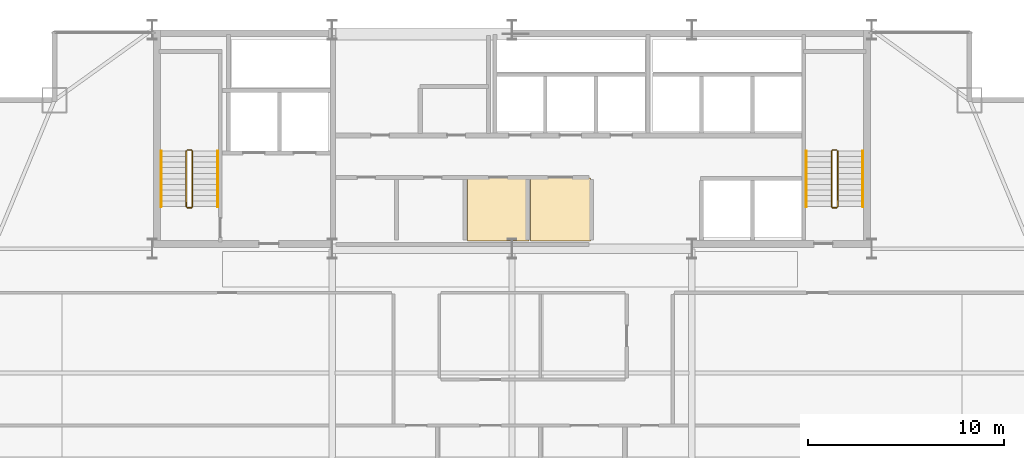
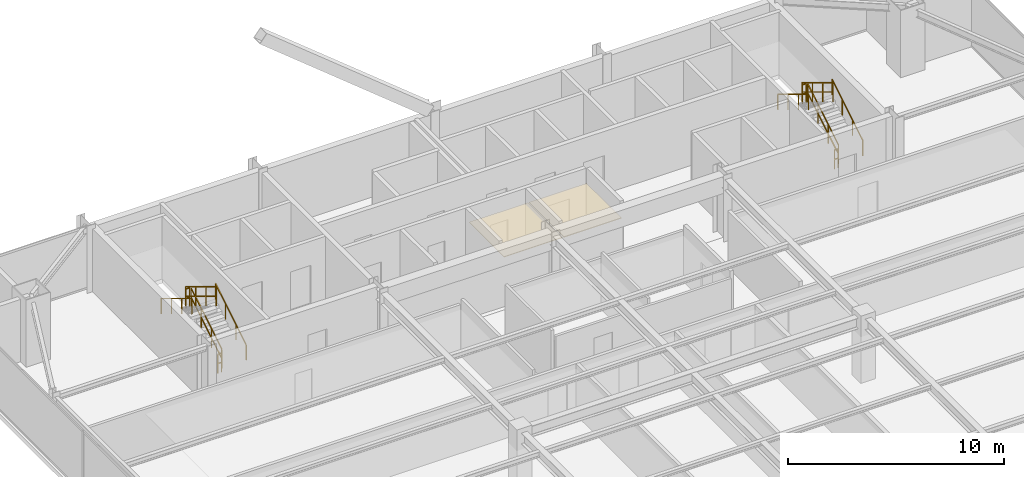
# One storey, part 32 of 32: 12 railings, 2 coverings.
"""IFC4 building model written with IfcOpenShell, lengths in metres."""

import ifcopenshell
import ifcopenshell.guid

model = None  # the IFC model being written
_history = None  # IfcOwnerHistory: only IFC2X3 demands one
_inside = {}  # id of a spatial element -> (the spatial element, [elements in it])
_under = {}  # id of a project, library or spatial element -> (it, [spatial elements below it])
_declared = {}  # id of a project -> (the project, [libraries it declares])
_typed = {}  # id of a type object -> (the type object, [elements of that type])
_made_of = {}  # id of a material, layer set ... -> (it, [elements and type objects made of it])


def new_model(schema):
    """Start an empty IFC model of exactly this schema.

    Asked for "IFC4X3", IfcOpenShell would pick the latest addendum, in which some entities
    have other attributes; the version numbers below select the first issue.
    IFC2X3 requires an IfcOwnerHistory on every rooted entity: one is made here for all.
    """
    global model, _history
    if schema == "IFC4X3":
        model = ifcopenshell.file(schema_version=(4, 3, 0, 0))
    else:
        model = ifcopenshell.file(schema=schema)
    _inside.clear()
    _under.clear()
    _declared.clear()
    _typed.clear()
    _made_of.clear()
    _history = None
    if model.schema == "IFC2X3":
        org = make("IfcOrganization", Name="unknown")
        user = make(
            "IfcPersonAndOrganization",
            ThePerson=make("IfcPerson", FamilyName="unknown"),
            TheOrganization=org,
        )
        app = make(
            "IfcApplication",
            ApplicationDeveloper=org,
            Version="unknown",
            ApplicationFullName="unknown",
            ApplicationIdentifier="unknown",
        )
        _history = make(
            "IfcOwnerHistory",
            OwningUser=user,
            OwningApplication=app,
            ChangeAction="ADDED",
            CreationDate=0,
        )
    return model


def make(cls, **values):
    """One entity of the class cls with the attributes given. An attribute that is None is left unset."""
    return model.create_entity(
        cls, **{name: value for name, value in values.items() if value is not None}
    )


def rooted(cls, **values):
    """An entity with a GlobalId (a new one), such as an element, a storey or a relation."""
    return make(cls, GlobalId=ifcopenshell.guid.new(), OwnerHistory=_history, **values)


def si_unit(unit_type, name, prefix=None):
    """IfcSIUnit, for example si_unit("LENGTHUNIT", "METRE", prefix="MILLI")."""
    return make("IfcSIUnit", UnitType=unit_type, Prefix=prefix, Name=name)


def assignment(units):
    """IfcUnitAssignment: the units of a project."""
    return None if units is None else make("IfcUnitAssignment", Units=units)


def point(xyz):
    """IfcCartesianPoint."""
    return None if xyz is None else make("IfcCartesianPoint", Coordinates=xyz)


def direction(xyz):
    """IfcDirection."""
    return None if xyz is None else make("IfcDirection", DirectionRatios=xyz)


def frame(location, z_axis=None, x_axis=None):
    """IfcAxis2Placement3D, a coordinate frame: its origin and axes. An axis left out is left unset."""
    return make(
        "IfcAxis2Placement3D",
        Location=point(location),
        Axis=direction(z_axis),
        RefDirection=direction(x_axis),
    )


def frame_2d(location, x_axis=None):
    """IfcAxis2Placement2D, a coordinate frame in the plane: its origin and x axis."""
    return make(
        "IfcAxis2Placement2D", Location=point(location), RefDirection=direction(x_axis)
    )


def origin():
    """The frame at (0, 0, 0) with its axes left unset."""
    return frame((0.0, 0.0, 0.0))


def origin_2d():
    """The frame at (0, 0) in the plane with its x axis left unset."""
    return frame_2d((0.0, 0.0))


def place(relative_to, where):
    """IfcLocalPlacement: puts the frame where relative to a parent placement (None: the world)."""
    return make(
        "IfcLocalPlacement", PlacementRelTo=relative_to, RelativePlacement=where
    )


def context(
    kind, dimensions, precision=None, world=None, true_north=None, identifier=None
):
    """IfcGeometricRepresentationContext, for example the 3D "Model" context."""
    return make(
        "IfcGeometricRepresentationContext",
        ContextIdentifier=identifier,
        ContextType=kind,
        CoordinateSpaceDimension=dimensions,
        Precision=precision,
        WorldCoordinateSystem=world,
        TrueNorth=true_north,
    )


def subcontext(parent, identifier, kind, view, scale=None):
    """IfcGeometricRepresentationSubContext, for example "Body" below "Model"."""
    return make(
        "IfcGeometricRepresentationSubContext",
        ContextIdentifier=identifier,
        ContextType=kind,
        ParentContext=parent,
        TargetScale=scale,
        TargetView=view,
    )


def project(units=None, contexts=None):
    """IfcProject with its units and contexts."""
    return rooted(
        "IfcProject",
        Name="project",
        RepresentationContexts=contexts,
        UnitsInContext=assignment(units),
    )


def spatial(cls, under=None, at=None, **own):
    """A site, building, storey or space (cls), placed at a placement, below another one or the project."""
    s = rooted(cls, ObjectPlacement=at, **own)
    if under is not None:
        _under.setdefault(under.id(), (under, []))[1].append(s)
    return s


def polyline(points):
    """IfcPolyline through the points."""
    return make("IfcPolyline", Points=[point(p) for p in points])


def profile(cls, at=None, kind="AREA", **sizes):
    """A parametric profile (cls). Its sizes go by their IFC names, for example OverallWidth=200.0."""
    return make(cls, ProfileType=kind, Position=at, **sizes)


def rectangle(**sizes):
    """IfcRectangleProfileDef."""
    return profile("IfcRectangleProfileDef", **sizes)


def outline(outer, holes=None, kind="AREA"):
    """IfcArbitraryClosedProfileDef: a profile drawn as a closed curve; with holes, ...WithVoids."""
    if holes is None:
        return make("IfcArbitraryClosedProfileDef", ProfileType=kind, OuterCurve=outer)
    return make(
        "IfcArbitraryProfileDefWithVoids",
        ProfileType=kind,
        OuterCurve=outer,
        InnerCurves=holes,
    )


def extrude(swept, where, along, depth):
    """IfcExtrudedAreaSolid: the profile swept, set in the frame where, extruded along a direction by depth."""
    return make(
        "IfcExtrudedAreaSolid",
        SweptArea=swept,
        Position=where,
        ExtrudedDirection=direction(along),
        Depth=depth,
    )


def shape(context_of_items, identifier, shape_type, items):
    """IfcShapeRepresentation: the items that make up one representation, for example the "Body"."""
    return make(
        "IfcShapeRepresentation",
        ContextOfItems=context_of_items,
        RepresentationIdentifier=identifier,
        RepresentationType=shape_type,
        Items=items,
    )


def material(Name=None, Category=None):
    """IfcMaterial."""
    return make("IfcMaterial", Name=Name, Category=Category)


def layer(
    of_material, thickness, ventilated=None, Name=None, Category=None, Priority=None
):
    """IfcMaterialLayer: one layer of a wall or slab, of a material (None: an air gap)."""
    return make(
        "IfcMaterialLayer",
        Material=of_material,
        LayerThickness=thickness,
        IsVentilated=ventilated,
        Name=Name,
        Category=Category,
        Priority=Priority,
    )


def layer_set(layers, Name=None):
    """IfcMaterialLayerSet."""
    return make("IfcMaterialLayerSet", MaterialLayers=layers, LayerSetName=Name)


def made_of(thing, what):
    """Note that an element or type object is made of a material, layer set ...; save() writes the relation."""
    if what is not None:
        _made_of.setdefault(what.id(), (what, []))[1].append(thing)
    return thing


def type_object(cls, material=None, **own):
    """A type object (cls), such as IfcWallType, which elements share."""
    return made_of(rooted(cls, **own), material)


def element(
    cls,
    number,
    at=None,
    inside=None,
    cuts=None,
    type_object=None,
    material=None,
    context=None,
    identifier="Body",
    shape_type=None,
    held_by="IfcProductDefinitionShape",
    body=None,
    shapes=None,
    **own,
):
    """One element of the class cls, such as IfcWall. Its Tag is "e" and its number.

    at: its placement. inside: the storey or other place that contains it. cuts: it is an
    opening in that element (IfcRelVoidsElement). A single representation is given by context,
    identifier, shape_type and body (its items); several are given by shapes. held_by: the class
    of the entity that holds the representations. save() writes the other relations.
    """
    e = rooted(cls, Tag="e%d" % number, ObjectPlacement=at, **own)
    if body is not None:
        shapes = [shape(context, identifier, shape_type, body)]
    if shapes is not None:
        e.Representation = make(held_by, Representations=shapes)
    if inside is not None:
        _inside.setdefault(inside.id(), (inside, []))[1].append(e)
    if cuts is not None:
        rooted(
            "IfcRelVoidsElement", RelatingBuildingElement=cuts, RelatedOpeningElement=e
        )
    if type_object is not None:
        _typed.setdefault(type_object.id(), (type_object, []))[1].append(e)
    return made_of(e, material)


def aggregate(whole, parts):
    """IfcRelAggregates: a whole, such as a stair, and the parts it consists of."""
    return rooted("IfcRelAggregates", RelatingObject=whole, RelatedObjects=parts)


def save(model, path):
    """Write the relations noted so far, then the file.

    IfcRelAggregates (storeys below a building ...), IfcRelContainedInSpatialStructure (elements
    in a storey), IfcRelDefinesByType, IfcRelAssociatesMaterial and IfcRelDeclares: one each for
    every whole, place, type object, material and project.
    """
    for whole, parts in _under.values():
        aggregate(whole, parts)
    for where, things in _inside.values():
        rooted(
            "IfcRelContainedInSpatialStructure",
            RelatedElements=things,
            RelatingStructure=where,
        )
    for kind, things in _typed.values():
        rooted("IfcRelDefinesByType", RelatedObjects=things, RelatingType=kind)
    for what, things in _made_of.values():
        rooted("IfcRelAssociatesMaterial", RelatedObjects=things, RelatingMaterial=what)
    for by, libraries in _declared.values():
        rooted("IfcRelDeclares", RelatingContext=by, RelatedDefinitions=libraries)
    model.write(path)


model = new_model("IFC4")

# Units and contexts
model_context = context("Model", 3, precision=1e-05, world=origin(), true_north=direction((0.0, 1.0)))
body_context = subcontext(model_context, "Body", "Model", "MODEL_VIEW")
ifc_project = project(units=[si_unit("LENGTHUNIT", "METRE"), si_unit("AREAUNIT", "SQUARE_METRE"), si_unit("VOLUMEUNIT", "CUBIC_METRE"), si_unit("PLANEANGLEUNIT", "RADIAN"), si_unit("MASSUNIT", "GRAM", prefix="KILO")], contexts=[model_context])

# Site, building, storey
site_placement = place(None, origin())
site = spatial("IfcSite", under=ifc_project, at=site_placement, CompositionType="ELEMENT")
building_placement = place(site_placement, origin())
building = spatial("IfcBuilding", under=site, at=building_placement, Name="Varnel Quay Broadcast Tower", CompositionType="ELEMENT")
storey_placement = place(building_placement, frame((0.0, 0.0, 164.800048828125)))
storey = spatial("IfcBuildingStorey", under=building, at=storey_placement, Name="L40", CompositionType="ELEMENT", Elevation=164.800048828125)

# Coverings
ifc_material_1 = material(Name="Micro-Perforated Acoustic Ceiling Tile")
ifc_layer = layer(ifc_material_1, 0.0400390625, Name="Micro-Perforated Acoustic Ceiling Tile")
ifc_layer_set = layer_set([ifc_layer], Name="Micro-Perforated Acoustic Ceiling Tile")
covering_type = type_object("IfcCoveringType", Name="Cov_AcousticCeiling", PredefinedType="CEILING", material=ifc_layer_set)
covering_1_placement = place(storey_placement, frame((0.0, 0.0, 2.579833984375)))
element("IfcCovering", 1, at=covering_1_placement, inside=storey, type_object=covering_type, Name="L40 Broadcast First-Aid & Quiet Room Acoustic Ceiling", PredefinedType="CEILING", context=body_context, shape_type="SweptSolid", body=[
    extrude(outline(polyline([(31.735107421875, 35.985107421875), (34.864990234375, 35.985107421875), (34.864990234375, 39.215087890625), (31.735107421875, 39.215087890625), (31.735107421875, 35.985107421875)])), origin(), (0.0, 0.0, 1.0), 0.0400390625),
])
covering_2_placement = place(storey_placement, frame((0.0, 0.0, 2.579833984375)))
element("IfcCovering", 2, at=covering_2_placement, inside=storey, type_object=covering_type, Name="L40 Zone Lighting Dimmer Room Acoustic Ceiling", PredefinedType="CEILING", context=body_context, shape_type="SweptSolid", body=[
    extrude(outline(polyline([(34.93505859375, 35.985107421875), (38.014892578125, 35.985107421875), (38.014892578125, 39.215087890625), (34.93505859375, 39.215087890625), (34.93505859375, 35.985107421875)])), origin(), (0.0, 0.0, 1.0), 0.0400390625),
])

# Railings
ifc_material_2 = material(Name="Painted Steel Guard and Handrail CSA G40.21 350W", Category="steel")
railing_type_1 = type_object("IfcRailingType", Name="Rail_StairGuard1100", PredefinedType="GUARDRAIL", material=ifc_material_2)
railing_1_placement = place(storey_placement, frame((17.64990234375, 37.75, 0.172607421875)))
element("IfcRailing", 3, at=railing_1_placement, inside=storey, type_object=railing_type_1, Name="L40 ST-01 stair guard 1", PredefinedType="GUARDRAIL", context=body_context, shape_type="SweptSolid", body=[
    extrude(rectangle(XDim=0.048095703125, YDim=0.048095703125, at=origin_2d()), frame((0.0, 0.0, 1.076171875), z_axis=(0.0, 0.855202751398, 0.518293598264), x_axis=(-1.0, 0.0, 0.0)), (0.0, 0.0, 1.0), 3.332763671875),
    extrude(rectangle(XDim=0.048095703125, YDim=0.048095703125, at=origin_2d()), frame((0.0, 0.0, 0.550048828125), z_axis=(0.0, 0.855202751398, 0.518293598264), x_axis=(-1.0, 0.0, 0.0)), (0.0, 0.0, 1.0), 3.332763671875),
    extrude(rectangle(XDim=0.0419921875, YDim=0.0419921875, at=origin_2d()), origin(), (0.0, 0.0, 1.0), 1.052001953125),
    extrude(rectangle(XDim=0.0419921875, YDim=0.0419921875, at=origin_2d()), frame((0.0, 0.949951171875, 0.57568359375)), (0.0, 0.0, 1.0), 1.052001953125),
    extrude(rectangle(XDim=0.0419921875, YDim=0.0419921875, at=origin_2d()), frame((0.0, 1.900146484375, 1.151611328125)), (0.0, 0.0, 1.0), 1.052001953125),
    extrude(rectangle(XDim=0.0419921875, YDim=0.0419921875, at=origin_2d()), frame((0.0, 2.85009765625, 1.727294921875)), (0.0, 0.0, 1.0), 1.052001953125),
])
railing_2_placement = place(storey_placement, frame((17.60009765625, 40.64990234375, 1.89990234375)))
element("IfcRailing", 4, at=railing_2_placement, inside=storey, type_object=railing_type_1, Name="L40 ST-01 stair guard 2", PredefinedType="GUARDRAIL", context=body_context, shape_type="SweptSolid", body=[
    extrude(rectangle(XDim=0.048095703125, YDim=0.048095703125, at=origin_2d()), frame((0.0, 0.0, 1.076171875), z_axis=(-1.0, 0.0, 0.0), x_axis=(0.0, -1.0, 0.0)), (0.0, 0.0, 1.0), 0.2001953125),
    extrude(rectangle(XDim=0.048095703125, YDim=0.048095703125, at=origin_2d()), frame((0.0, 0.0, 0.550048828125), z_axis=(-1.0, 0.0, 0.0), x_axis=(0.0, -1.0, 0.0)), (0.0, 0.0, 1.0), 0.2001953125),
    extrude(rectangle(XDim=0.0419921875, YDim=0.0419921875, at=origin_2d()), origin(), (0.0, 0.0, 1.0), 1.052001953125),
    extrude(rectangle(XDim=0.0419921875, YDim=0.0419921875, at=origin_2d()), frame((-0.2001953125, 0.0, 0.0)), (0.0, 0.0, 1.0), 1.052001953125),
])
railing_3_placement = place(storey_placement, frame((17.35009765625, 40.60009765625, 2.07275390625)))
element("IfcRailing", 5, at=railing_3_placement, inside=storey, type_object=railing_type_1, Name="L40 ST-01 stair guard 3", PredefinedType="GUARDRAIL", context=body_context, shape_type="SweptSolid", body=[
    extrude(rectangle(XDim=0.048095703125, YDim=0.048095703125, at=origin_2d()), frame((0.0, 0.0, 1.076171875), z_axis=(0.0, -0.855202751398, 0.518293598264), x_axis=(1.0, 0.0, 0.0)), (0.0, 0.0, 1.0), 3.332763671875),
    extrude(rectangle(XDim=0.048095703125, YDim=0.048095703125, at=origin_2d()), frame((0.0, 0.0, 0.550048828125), z_axis=(0.0, -0.855202751398, 0.518293598264), x_axis=(1.0, 0.0, 0.0)), (0.0, 0.0, 1.0), 3.332763671875),
    extrude(rectangle(XDim=0.0419921875, YDim=0.0419921875, at=origin_2d()), origin(), (0.0, 0.0, 1.0), 1.052001953125),
    extrude(rectangle(XDim=0.0419921875, YDim=0.0419921875, at=origin_2d()), frame((0.0, -0.949951171875, 0.57568359375)), (0.0, 0.0, 1.0), 1.052001953125),
    extrude(rectangle(XDim=0.0419921875, YDim=0.0419921875, at=origin_2d()), frame((0.0, -1.900146484375, 1.151611328125)), (0.0, 0.0, 1.0), 1.052001953125),
    extrude(rectangle(XDim=0.0419921875, YDim=0.0419921875, at=origin_2d()), frame((0.0, -2.85009765625, 1.727294921875)), (0.0, 0.0, 1.0), 1.052001953125),
])
railing_4_placement = place(storey_placement, frame((17.60009765625, 37.699951171875, 0.0)))
element("IfcRailing", 6, at=railing_4_placement, inside=storey, type_object=railing_type_1, Name="L40 ST-01 stair guard 4", PredefinedType="GUARDRAIL", context=body_context, shape_type="SweptSolid", body=[
    extrude(rectangle(XDim=0.048095703125, YDim=0.048095703125, at=origin_2d()), frame((0.0, 0.0, 1.076171875), z_axis=(-1.0, 0.0, 0.0), x_axis=(0.0, -1.0, 0.0)), (0.0, 0.0, 1.0), 0.2001953125),
    extrude(rectangle(XDim=0.048095703125, YDim=0.048095703125, at=origin_2d()), frame((0.0, 0.0, 0.550048828125), z_axis=(-1.0, 0.0, 0.0), x_axis=(0.0, -1.0, 0.0)), (0.0, 0.0, 1.0), 0.2001953125),
    extrude(rectangle(XDim=0.0419921875, YDim=0.0419921875, at=origin_2d()), origin(), (0.0, 0.0, 1.0), 1.052001953125),
    extrude(rectangle(XDim=0.0419921875, YDim=0.0419921875, at=origin_2d()), frame((-0.2001953125, 0.0, 0.0)), (0.0, 0.0, 1.0), 1.052001953125),
])
railing_5_placement = place(storey_placement, frame((50.64990234375, 37.75, 0.172607421875)))
element("IfcRailing", 7, at=railing_5_placement, inside=storey, type_object=railing_type_1, Name="L40 ST-02 stair guard 1", PredefinedType="GUARDRAIL", context=body_context, shape_type="SweptSolid", body=[
    extrude(rectangle(XDim=0.048095703125, YDim=0.048095703125, at=origin_2d()), frame((0.0, 0.0, 1.076171875), z_axis=(0.0, 0.855202751398, 0.518293598264), x_axis=(-1.0, 0.0, 0.0)), (0.0, 0.0, 1.0), 3.332763671875),
    extrude(rectangle(XDim=0.048095703125, YDim=0.048095703125, at=origin_2d()), frame((0.0, 0.0, 0.550048828125), z_axis=(0.0, 0.855202751398, 0.518293598264), x_axis=(-1.0, 0.0, 0.0)), (0.0, 0.0, 1.0), 3.332763671875),
    extrude(rectangle(XDim=0.0419921875, YDim=0.0419921875, at=origin_2d()), origin(), (0.0, 0.0, 1.0), 1.052001953125),
    extrude(rectangle(XDim=0.0419921875, YDim=0.0419921875, at=origin_2d()), frame((0.0, 0.949951171875, 0.57568359375)), (0.0, 0.0, 1.0), 1.052001953125),
    extrude(rectangle(XDim=0.0419921875, YDim=0.0419921875, at=origin_2d()), frame((0.0, 1.900146484375, 1.151611328125)), (0.0, 0.0, 1.0), 1.052001953125),
    extrude(rectangle(XDim=0.0419921875, YDim=0.0419921875, at=origin_2d()), frame((0.0, 2.85009765625, 1.727294921875)), (0.0, 0.0, 1.0), 1.052001953125),
])
railing_6_placement = place(storey_placement, frame((50.60009765625, 40.64990234375, 1.89990234375)))
element("IfcRailing", 8, at=railing_6_placement, inside=storey, type_object=railing_type_1, Name="L40 ST-02 stair guard 2", PredefinedType="GUARDRAIL", context=body_context, shape_type="SweptSolid", body=[
    extrude(rectangle(XDim=0.048095703125, YDim=0.048095703125, at=origin_2d()), frame((0.0, 0.0, 1.076171875), z_axis=(-1.0, 0.0, 0.0), x_axis=(0.0, -1.0, 0.0)), (0.0, 0.0, 1.0), 0.2001953125),
    extrude(rectangle(XDim=0.048095703125, YDim=0.048095703125, at=origin_2d()), frame((0.0, 0.0, 0.550048828125), z_axis=(-1.0, 0.0, 0.0), x_axis=(0.0, -1.0, 0.0)), (0.0, 0.0, 1.0), 0.2001953125),
    extrude(rectangle(XDim=0.0419921875, YDim=0.0419921875, at=origin_2d()), origin(), (0.0, 0.0, 1.0), 1.052001953125),
    extrude(rectangle(XDim=0.0419921875, YDim=0.0419921875, at=origin_2d()), frame((-0.2001953125, 0.0, 0.0)), (0.0, 0.0, 1.0), 1.052001953125),
])
railing_7_placement = place(storey_placement, frame((50.35009765625, 40.60009765625, 2.07275390625)))
element("IfcRailing", 9, at=railing_7_placement, inside=storey, type_object=railing_type_1, Name="L40 ST-02 stair guard 3", PredefinedType="GUARDRAIL", context=body_context, shape_type="SweptSolid", body=[
    extrude(rectangle(XDim=0.048095703125, YDim=0.048095703125, at=origin_2d()), frame((0.0, 0.0, 1.076171875), z_axis=(0.0, -0.855202751398, 0.518293598264), x_axis=(1.0, 0.0, 0.0)), (0.0, 0.0, 1.0), 3.332763671875),
    extrude(rectangle(XDim=0.048095703125, YDim=0.048095703125, at=origin_2d()), frame((0.0, 0.0, 0.550048828125), z_axis=(0.0, -0.855202751398, 0.518293598264), x_axis=(1.0, 0.0, 0.0)), (0.0, 0.0, 1.0), 3.332763671875),
    extrude(rectangle(XDim=0.0419921875, YDim=0.0419921875, at=origin_2d()), origin(), (0.0, 0.0, 1.0), 1.052001953125),
    extrude(rectangle(XDim=0.0419921875, YDim=0.0419921875, at=origin_2d()), frame((0.0, -0.949951171875, 0.57568359375)), (0.0, 0.0, 1.0), 1.052001953125),
    extrude(rectangle(XDim=0.0419921875, YDim=0.0419921875, at=origin_2d()), frame((0.0, -1.900146484375, 1.151611328125)), (0.0, 0.0, 1.0), 1.052001953125),
    extrude(rectangle(XDim=0.0419921875, YDim=0.0419921875, at=origin_2d()), frame((0.0, -2.85009765625, 1.727294921875)), (0.0, 0.0, 1.0), 1.052001953125),
])
railing_8_placement = place(storey_placement, frame((50.60009765625, 37.699951171875, 0.0)))
element("IfcRailing", 10, at=railing_8_placement, inside=storey, type_object=railing_type_1, Name="L40 ST-02 stair guard 4", PredefinedType="GUARDRAIL", context=body_context, shape_type="SweptSolid", body=[
    extrude(rectangle(XDim=0.048095703125, YDim=0.048095703125, at=origin_2d()), frame((0.0, 0.0, 1.076171875), z_axis=(-1.0, 0.0, 0.0), x_axis=(0.0, -1.0, 0.0)), (0.0, 0.0, 1.0), 0.2001953125),
    extrude(rectangle(XDim=0.048095703125, YDim=0.048095703125, at=origin_2d()), frame((0.0, 0.0, 0.550048828125), z_axis=(-1.0, 0.0, 0.0), x_axis=(0.0, -1.0, 0.0)), (0.0, 0.0, 1.0), 0.2001953125),
    extrude(rectangle(XDim=0.0419921875, YDim=0.0419921875, at=origin_2d()), origin(), (0.0, 0.0, 1.0), 1.052001953125),
    extrude(rectangle(XDim=0.0419921875, YDim=0.0419921875, at=origin_2d()), frame((-0.2001953125, 0.0, 0.0)), (0.0, 0.0, 1.0), 1.052001953125),
])
railing_type_2 = type_object("IfcRailingType", Name="Rail_StairHandrail900", PredefinedType="HANDRAIL", material=ifc_material_2)
railing_9_placement = place(storey_placement, frame((18.949951171875, 37.75, 0.172607421875)))
element("IfcRailing", 11, at=railing_9_placement, inside=storey, type_object=railing_type_2, Name="L40 ST-01 stair handrail 1", PredefinedType="HANDRAIL", context=body_context, shape_type="SweptSolid", body=[
    extrude(rectangle(XDim=0.048095703125, YDim=0.048095703125, at=origin_2d()), frame((0.0, 0.0, 0.8759765625), z_axis=(0.0, 0.855202751398, 0.518293598264), x_axis=(-1.0, 0.0, 0.0)), (0.0, 0.0, 1.0), 3.332763671875),
    extrude(rectangle(XDim=0.0419921875, YDim=0.0419921875, at=origin_2d()), origin(), (0.0, 0.0, 1.0), 0.851806640625),
    extrude(rectangle(XDim=0.0419921875, YDim=0.0419921875, at=origin_2d()), frame((0.0, 0.949951171875, 0.57568359375)), (0.0, 0.0, 1.0), 0.851806640625),
    extrude(rectangle(XDim=0.0419921875, YDim=0.0419921875, at=origin_2d()), frame((0.0, 1.900146484375, 1.151611328125)), (0.0, 0.0, 1.0), 0.851806640625),
    extrude(rectangle(XDim=0.0419921875, YDim=0.0419921875, at=origin_2d()), frame((0.0, 2.85009765625, 1.727294921875)), (0.0, 0.0, 1.0), 0.851806640625),
])
railing_10_placement = place(storey_placement, frame((16.050048828125, 40.60009765625, 2.07275390625)))
element("IfcRailing", 12, at=railing_10_placement, inside=storey, type_object=railing_type_2, Name="L40 ST-01 stair handrail 2", PredefinedType="HANDRAIL", context=body_context, shape_type="SweptSolid", body=[
    extrude(rectangle(XDim=0.048095703125, YDim=0.048095703125, at=origin_2d()), frame((0.0, 0.0, 0.8759765625), z_axis=(0.0, -0.855202751398, 0.518293598264), x_axis=(1.0, 0.0, 0.0)), (0.0, 0.0, 1.0), 3.332763671875),
    extrude(rectangle(XDim=0.0419921875, YDim=0.0419921875, at=origin_2d()), origin(), (0.0, 0.0, 1.0), 0.851806640625),
    extrude(rectangle(XDim=0.0419921875, YDim=0.0419921875, at=origin_2d()), frame((0.0, -0.949951171875, 0.57568359375)), (0.0, 0.0, 1.0), 0.851806640625),
    extrude(rectangle(XDim=0.0419921875, YDim=0.0419921875, at=origin_2d()), frame((0.0, -1.900146484375, 1.151611328125)), (0.0, 0.0, 1.0), 0.851806640625),
    extrude(rectangle(XDim=0.0419921875, YDim=0.0419921875, at=origin_2d()), frame((0.0, -2.85009765625, 1.727294921875)), (0.0, 0.0, 1.0), 0.851806640625),
])
railing_11_placement = place(storey_placement, frame((51.949951171875, 37.75, 0.172607421875)))
element("IfcRailing", 13, at=railing_11_placement, inside=storey, type_object=railing_type_2, Name="L40 ST-02 stair handrail 1", PredefinedType="HANDRAIL", context=body_context, shape_type="SweptSolid", body=[
    extrude(rectangle(XDim=0.048095703125, YDim=0.048095703125, at=origin_2d()), frame((0.0, 0.0, 0.8759765625), z_axis=(0.0, 0.855202751398, 0.518293598264), x_axis=(-1.0, 0.0, 0.0)), (0.0, 0.0, 1.0), 3.332763671875),
    extrude(rectangle(XDim=0.0419921875, YDim=0.0419921875, at=origin_2d()), origin(), (0.0, 0.0, 1.0), 0.851806640625),
    extrude(rectangle(XDim=0.0419921875, YDim=0.0419921875, at=origin_2d()), frame((0.0, 0.949951171875, 0.57568359375)), (0.0, 0.0, 1.0), 0.851806640625),
    extrude(rectangle(XDim=0.0419921875, YDim=0.0419921875, at=origin_2d()), frame((0.0, 1.900146484375, 1.151611328125)), (0.0, 0.0, 1.0), 0.851806640625),
    extrude(rectangle(XDim=0.0419921875, YDim=0.0419921875, at=origin_2d()), frame((0.0, 2.85009765625, 1.727294921875)), (0.0, 0.0, 1.0), 0.851806640625),
])
railing_12_placement = place(storey_placement, frame((49.050048828125, 40.60009765625, 2.07275390625)))
element("IfcRailing", 14, at=railing_12_placement, inside=storey, type_object=railing_type_2, Name="L40 ST-02 stair handrail 2", PredefinedType="HANDRAIL", context=body_context, shape_type="SweptSolid", body=[
    extrude(rectangle(XDim=0.048095703125, YDim=0.048095703125, at=origin_2d()), frame((0.0, 0.0, 0.8759765625), z_axis=(0.0, -0.855202751398, 0.518293598264), x_axis=(1.0, 0.0, 0.0)), (0.0, 0.0, 1.0), 3.332763671875),
    extrude(rectangle(XDim=0.0419921875, YDim=0.0419921875, at=origin_2d()), origin(), (0.0, 0.0, 1.0), 0.851806640625),
    extrude(rectangle(XDim=0.0419921875, YDim=0.0419921875, at=origin_2d()), frame((0.0, -0.949951171875, 0.57568359375)), (0.0, 0.0, 1.0), 0.851806640625),
    extrude(rectangle(XDim=0.0419921875, YDim=0.0419921875, at=origin_2d()), frame((0.0, -1.900146484375, 1.151611328125)), (0.0, 0.0, 1.0), 0.851806640625),
    extrude(rectangle(XDim=0.0419921875, YDim=0.0419921875, at=origin_2d()), frame((0.0, -2.85009765625, 1.727294921875)), (0.0, 0.0, 1.0), 0.851806640625),
])

save(model, "model.ifc")
